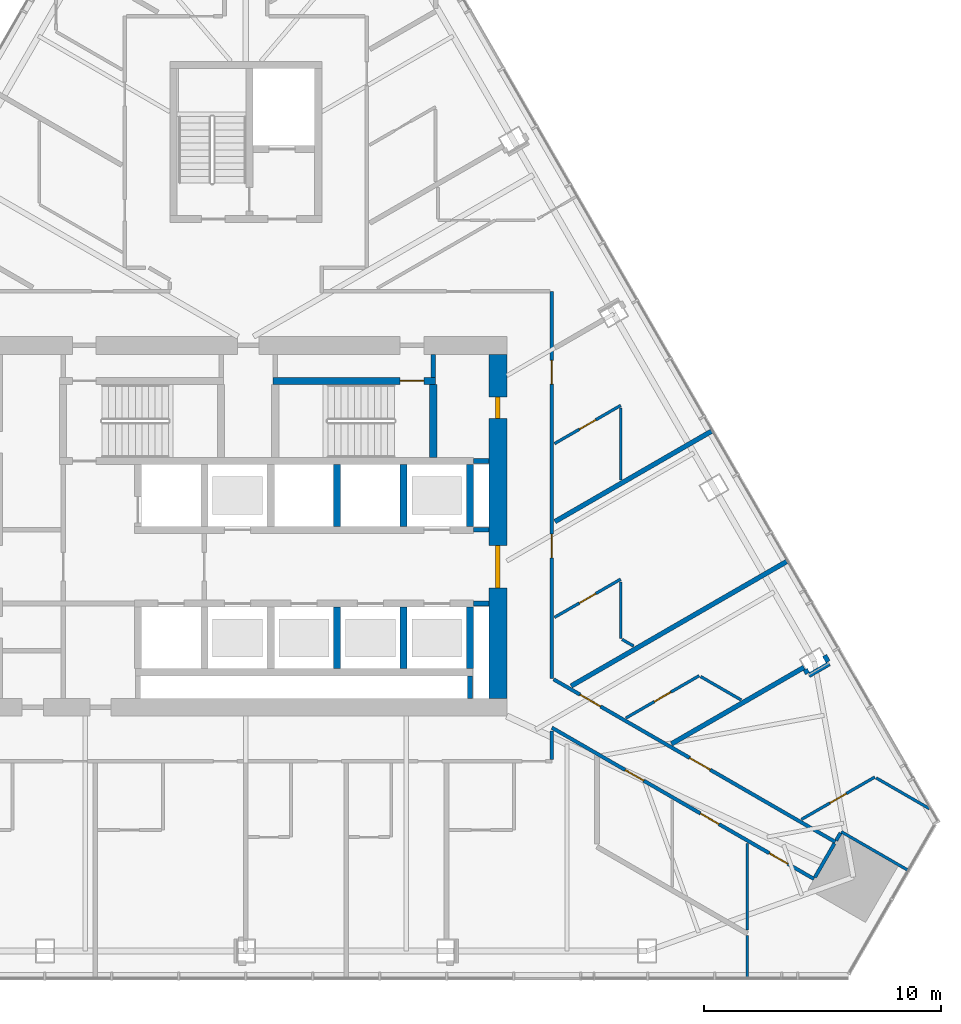
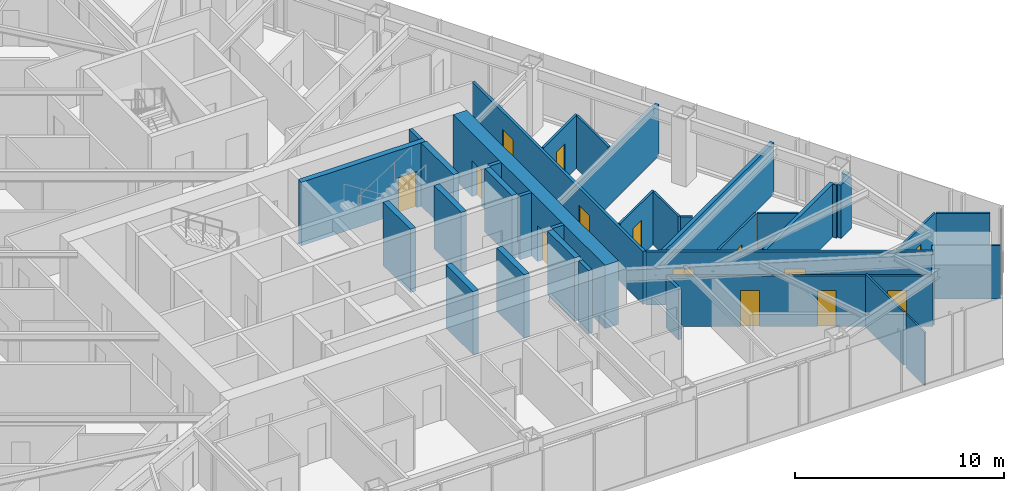
# One storey, part 16 of 20: 38 walls, 14 doors, 14 openings.
"""IFC4 building model written with IfcOpenShell, lengths in metres."""

import ifcopenshell
import ifcopenshell.guid

model = None  # the IFC model being written
_history = None  # IfcOwnerHistory: only IFC2X3 demands one
_inside = {}  # id of a spatial element -> (the spatial element, [elements in it])
_under = {}  # id of a project, library or spatial element -> (it, [spatial elements below it])
_declared = {}  # id of a project -> (the project, [libraries it declares])
_typed = {}  # id of a type object -> (the type object, [elements of that type])
_made_of = {}  # id of a material, layer set ... -> (it, [elements and type objects made of it])


def new_model(schema):
    """Start an empty IFC model of exactly this schema.

    Asked for "IFC4X3", IfcOpenShell would pick the latest addendum, in which some entities
    have other attributes; the version numbers below select the first issue.
    IFC2X3 requires an IfcOwnerHistory on every rooted entity: one is made here for all.
    """
    global model, _history
    if schema == "IFC4X3":
        model = ifcopenshell.file(schema_version=(4, 3, 0, 0))
    else:
        model = ifcopenshell.file(schema=schema)
    _inside.clear()
    _under.clear()
    _declared.clear()
    _typed.clear()
    _made_of.clear()
    _history = None
    if model.schema == "IFC2X3":
        org = make("IfcOrganization", Name="unknown")
        user = make(
            "IfcPersonAndOrganization",
            ThePerson=make("IfcPerson", FamilyName="unknown"),
            TheOrganization=org,
        )
        app = make(
            "IfcApplication",
            ApplicationDeveloper=org,
            Version="unknown",
            ApplicationFullName="unknown",
            ApplicationIdentifier="unknown",
        )
        _history = make(
            "IfcOwnerHistory",
            OwningUser=user,
            OwningApplication=app,
            ChangeAction="ADDED",
            CreationDate=0,
        )
    return model


def make(cls, **values):
    """One entity of the class cls with the attributes given. An attribute that is None is left unset."""
    return model.create_entity(
        cls, **{name: value for name, value in values.items() if value is not None}
    )


def rooted(cls, **values):
    """An entity with a GlobalId (a new one), such as an element, a storey or a relation."""
    return make(cls, GlobalId=ifcopenshell.guid.new(), OwnerHistory=_history, **values)


def si_unit(unit_type, name, prefix=None):
    """IfcSIUnit, for example si_unit("LENGTHUNIT", "METRE", prefix="MILLI")."""
    return make("IfcSIUnit", UnitType=unit_type, Prefix=prefix, Name=name)


def assignment(units):
    """IfcUnitAssignment: the units of a project."""
    return None if units is None else make("IfcUnitAssignment", Units=units)


def point(xyz):
    """IfcCartesianPoint."""
    return None if xyz is None else make("IfcCartesianPoint", Coordinates=xyz)


def direction(xyz):
    """IfcDirection."""
    return None if xyz is None else make("IfcDirection", DirectionRatios=xyz)


def frame(location, z_axis=None, x_axis=None):
    """IfcAxis2Placement3D, a coordinate frame: its origin and axes. An axis left out is left unset."""
    return make(
        "IfcAxis2Placement3D",
        Location=point(location),
        Axis=direction(z_axis),
        RefDirection=direction(x_axis),
    )


def frame_2d(location, x_axis=None):
    """IfcAxis2Placement2D, a coordinate frame in the plane: its origin and x axis."""
    return make(
        "IfcAxis2Placement2D", Location=point(location), RefDirection=direction(x_axis)
    )


def origin():
    """The frame at (0, 0, 0) with its axes left unset."""
    return frame((0.0, 0.0, 0.0))


def place(relative_to, where):
    """IfcLocalPlacement: puts the frame where relative to a parent placement (None: the world)."""
    return make(
        "IfcLocalPlacement", PlacementRelTo=relative_to, RelativePlacement=where
    )


def context(
    kind, dimensions, precision=None, world=None, true_north=None, identifier=None
):
    """IfcGeometricRepresentationContext, for example the 3D "Model" context."""
    return make(
        "IfcGeometricRepresentationContext",
        ContextIdentifier=identifier,
        ContextType=kind,
        CoordinateSpaceDimension=dimensions,
        Precision=precision,
        WorldCoordinateSystem=world,
        TrueNorth=true_north,
    )


def subcontext(parent, identifier, kind, view, scale=None):
    """IfcGeometricRepresentationSubContext, for example "Body" below "Model"."""
    return make(
        "IfcGeometricRepresentationSubContext",
        ContextIdentifier=identifier,
        ContextType=kind,
        ParentContext=parent,
        TargetScale=scale,
        TargetView=view,
    )


def project(units=None, contexts=None):
    """IfcProject with its units and contexts."""
    return rooted(
        "IfcProject",
        Name="project",
        RepresentationContexts=contexts,
        UnitsInContext=assignment(units),
    )


def spatial(cls, under=None, at=None, **own):
    """A site, building, storey or space (cls), placed at a placement, below another one or the project."""
    s = rooted(cls, ObjectPlacement=at, **own)
    if under is not None:
        _under.setdefault(under.id(), (under, []))[1].append(s)
    return s


def profile(cls, at=None, kind="AREA", **sizes):
    """A parametric profile (cls). Its sizes go by their IFC names, for example OverallWidth=200.0."""
    return make(cls, ProfileType=kind, Position=at, **sizes)


def rectangle(**sizes):
    """IfcRectangleProfileDef."""
    return profile("IfcRectangleProfileDef", **sizes)


def extrude(swept, where, along, depth):
    """IfcExtrudedAreaSolid: the profile swept, set in the frame where, extruded along a direction by depth."""
    return make(
        "IfcExtrudedAreaSolid",
        SweptArea=swept,
        Position=where,
        ExtrudedDirection=direction(along),
        Depth=depth,
    )


def shape(context_of_items, identifier, shape_type, items):
    """IfcShapeRepresentation: the items that make up one representation, for example the "Body"."""
    return make(
        "IfcShapeRepresentation",
        ContextOfItems=context_of_items,
        RepresentationIdentifier=identifier,
        RepresentationType=shape_type,
        Items=items,
    )


def material(Name=None, Category=None):
    """IfcMaterial."""
    return make("IfcMaterial", Name=Name, Category=Category)


def layer(
    of_material, thickness, ventilated=None, Name=None, Category=None, Priority=None
):
    """IfcMaterialLayer: one layer of a wall or slab, of a material (None: an air gap)."""
    return make(
        "IfcMaterialLayer",
        Material=of_material,
        LayerThickness=thickness,
        IsVentilated=ventilated,
        Name=Name,
        Category=Category,
        Priority=Priority,
    )


def layer_set(layers, Name=None):
    """IfcMaterialLayerSet."""
    return make("IfcMaterialLayerSet", MaterialLayers=layers, LayerSetName=Name)


def made_of(thing, what):
    """Note that an element or type object is made of a material, layer set ...; save() writes the relation."""
    if what is not None:
        _made_of.setdefault(what.id(), (what, []))[1].append(thing)
    return thing


def type_object(cls, material=None, **own):
    """A type object (cls), such as IfcWallType, which elements share."""
    return made_of(rooted(cls, **own), material)


def element(
    cls,
    number,
    at=None,
    inside=None,
    cuts=None,
    type_object=None,
    material=None,
    context=None,
    identifier="Body",
    shape_type=None,
    held_by="IfcProductDefinitionShape",
    body=None,
    shapes=None,
    **own,
):
    """One element of the class cls, such as IfcWall. Its Tag is "e" and its number.

    at: its placement. inside: the storey or other place that contains it. cuts: it is an
    opening in that element (IfcRelVoidsElement). A single representation is given by context,
    identifier, shape_type and body (its items); several are given by shapes. held_by: the class
    of the entity that holds the representations. save() writes the other relations.
    """
    e = rooted(cls, Tag="e%d" % number, ObjectPlacement=at, **own)
    if body is not None:
        shapes = [shape(context, identifier, shape_type, body)]
    if shapes is not None:
        e.Representation = make(held_by, Representations=shapes)
    if inside is not None:
        _inside.setdefault(inside.id(), (inside, []))[1].append(e)
    if cuts is not None:
        rooted(
            "IfcRelVoidsElement", RelatingBuildingElement=cuts, RelatedOpeningElement=e
        )
    if type_object is not None:
        _typed.setdefault(type_object.id(), (type_object, []))[1].append(e)
    return made_of(e, material)


def fill(opening, filler):
    """IfcRelFillsElement: the door or window that sits in an opening."""
    return rooted(
        "IfcRelFillsElement",
        RelatingOpeningElement=opening,
        RelatedBuildingElement=filler,
    )


def aggregate(whole, parts):
    """IfcRelAggregates: a whole, such as a stair, and the parts it consists of."""
    return rooted("IfcRelAggregates", RelatingObject=whole, RelatedObjects=parts)


def save(model, path):
    """Write the relations noted so far, then the file.

    IfcRelAggregates (storeys below a building ...), IfcRelContainedInSpatialStructure (elements
    in a storey), IfcRelDefinesByType, IfcRelAssociatesMaterial and IfcRelDeclares: one each for
    every whole, place, type object, material and project.
    """
    for whole, parts in _under.values():
        aggregate(whole, parts)
    for where, things in _inside.values():
        rooted(
            "IfcRelContainedInSpatialStructure",
            RelatedElements=things,
            RelatingStructure=where,
        )
    for kind, things in _typed.values():
        rooted("IfcRelDefinesByType", RelatedObjects=things, RelatingType=kind)
    for what, things in _made_of.values():
        rooted("IfcRelAssociatesMaterial", RelatedObjects=things, RelatingMaterial=what)
    for by, libraries in _declared.values():
        rooted("IfcRelDeclares", RelatingContext=by, RelatedDefinitions=libraries)
    model.write(path)


model = new_model("IFC4")

# Units and contexts
model_context = context("Model", 3, precision=1e-05, world=origin(), true_north=direction((0.0, 1.0)))
body_context = subcontext(model_context, "Body", "Model", "MODEL_VIEW")
ifc_project = project(units=[si_unit("LENGTHUNIT", "METRE"), si_unit("AREAUNIT", "SQUARE_METRE"), si_unit("VOLUMEUNIT", "CUBIC_METRE"), si_unit("PLANEANGLEUNIT", "RADIAN"), si_unit("MASSUNIT", "GRAM", prefix="KILO")], contexts=[model_context])

# Site, building, storey
site_placement = place(None, origin())
site = spatial("IfcSite", under=ifc_project, at=site_placement, CompositionType="ELEMENT")
building_placement = place(site_placement, origin())
building = spatial("IfcBuilding", under=site, at=building_placement, Name="Firuza Gate Tower and Library", CompositionType="ELEMENT")
storey_placement = place(building_placement, frame((0.0, 0.0, 214.300048828125)))
storey = spatial("IfcBuildingStorey", under=building, at=storey_placement, Name="L50", CompositionType="ELEMENT", Elevation=214.300048828125)

# Walls
ifc_material_1 = material(Name="Plasterboard on steel studs", Category="steel")
ifc_layer_1 = layer(ifc_material_1, 0.199951171875)
ifc_layer_set_1 = layer_set([ifc_layer_1], Name="Core partition 200 EI 120")
wall_type_1 = type_object("IfcWallType", Name="Core partition 200 EI 120", PredefinedType="PARTITIONING", material=ifc_layer_set_1)
for number, where, z_axis, x_axis, name in (
    (1, (84.60009765625, 71.75, 0.0), (0.0, 0.0, 1.0), (1.0, 0.0, 0.0), "Core partition L50 3"),
    (2, (84.60009765625, 74.85009765625, 0.0), (0.0, 0.0, 1.0), (1.0, 0.0, 0.0), "Core partition L50 5"),
    (3, (84.60009765625, 77.75, 0.0), (0.0, 0.0, 1.0), (1.0, 0.0, 0.0), "Core partition L50 6"),
):
    element("IfcWall", number, at=place(storey_placement, frame(where, z_axis=z_axis, x_axis=x_axis)), inside=storey, type_object=wall_type_1, Name=name, PredefinedType="PARTITIONING", context=body_context, shape_type="SweptSolid", body=[
        extrude(rectangle(XDim=0.64990234375, YDim=0.199951171875, at=frame_2d((0.324951171875, 0.0))), origin(), (0.0, 0.0, 1.0), 3.699951171875),
    ])
wall_1_placement = place(storey_placement, frame((84.449951171875, 67.75, 0.0), z_axis=(0.0, 0.0, 1.0), x_axis=(0.0, 1.0, 0.0)))
element("IfcWall", 4, at=wall_1_placement, inside=storey, type_object=wall_type_1, Name="Core partition L50 15", PredefinedType="PARTITIONING", context=body_context, shape_type="SweptSolid", body=[
    extrude(rectangle(XDim=0.949951171875, YDim=0.199951171875, at=frame_2d((0.47509765625, 0.0))), origin(), (0.0, 0.0, 1.0), 3.699951171875),
])
ifc_material_2 = material(Name="Plasterboard on steel studs", Category="steel")
ifc_layer_2 = layer(ifc_material_2, 0.199951171875)
ifc_layer_set_2 = layer_set([ifc_layer_2], Name="Core partition 200 EI 60")
wall_type_2 = type_object("IfcWallType", Name="Core partition 200 EI 60", PredefinedType="PARTITIONING", material=ifc_layer_set_2)
wall_2_placement = place(storey_placement, frame((82.89990234375, 81.280029296875, 0.0), z_axis=(0.0, 0.0, 1.0), x_axis=(0.0, 1.0, 0.0)))
element("IfcWall", 5, at=wall_2_placement, inside=storey, type_object=wall_type_2, Name="Core partition L50 14", PredefinedType="PARTITIONING", context=body_context, shape_type="SweptSolid", body=[
    extrude(rectangle(XDim=0.969970703125, YDim=0.199951171875, at=frame_2d((0.48486328125, 0.0))), origin(), (0.0, 0.0, 1.0), 3.699951171875),
])
ifc_material_3 = material(Name="Concrete C80/95", Category="concrete")
ifc_layer_3 = layer(ifc_material_3, 0.300048828125)
ifc_layer_set_3 = layer_set([ifc_layer_3], Name="Core wall 300 C80/95")
wall_type_3 = type_object("IfcWallType", Name="Core wall 300 C80/95", PredefinedType="SHEAR", material=ifc_layer_set_3)
for number, where, z_axis, x_axis, name in (
    (6, (78.85009765625, 69.0, 0.0), (0.0, 0.0, 1.0), (0.0, 1.0, 0.0), "Core wall L50 14"),
    (7, (78.85009765625, 75.0, 0.0), (0.0, 0.0, 1.0), (0.0, 1.0, 0.0), "Core wall L50 15"),
    (8, (81.64990234375, 69.0, 0.0), (0.0, 0.0, 1.0), (0.0, 1.0, 0.0), "Core wall L50 16"),
    (9, (81.64990234375, 75.0, 0.0), (0.0, 0.0, 1.0), (0.0, 1.0, 0.0), "Core wall L50 17"),
    (10, (84.449951171875, 69.0, 0.0), (0.0, 0.0, 1.0), (0.0, 1.0, 0.0), "Core wall L50 18"),
    (11, (84.449951171875, 75.0, 0.0), (0.0, 0.0, 1.0), (0.0, 1.0, 0.0), "Core wall L50 19"),
):
    element("IfcWall", number, at=place(storey_placement, frame(where, z_axis=z_axis, x_axis=x_axis)), inside=storey, type_object=wall_type_3, Name=name, PredefinedType="SHEAR", context=body_context, shape_type="SweptSolid", body=[
        extrude(rectangle(XDim=2.60009765625, YDim=0.300048828125, at=frame_2d((1.300048828125, 0.0))), origin(), (0.0, 0.0, 1.0), 3.699951171875),
    ])

# Wall, opening, door
wall_3_placement = place(storey_placement, frame((76.139892578125, 81.1298828125, 0.0), z_axis=(0.0, 0.0, 1.0), x_axis=(1.0, 0.0, 0.0)))
wall_3 = element("IfcWall", 12, at=wall_3_placement, inside=storey, type_object=wall_type_3, Name="Core wall L50 22", PredefinedType="SHEAR", context=body_context, shape_type="SweptSolid", body=[
    extrude(rectangle(XDim=6.860107421875, YDim=0.300048828125, at=frame_2d((3.43017578125, 0.0))), origin(), (0.0, 0.0, 1.0), 3.699951171875),
])
opening_1_placement = place(wall_3_placement, frame((5.364990234375, 0.0, 0.0)))
opening_1 = element("IfcOpeningElement", 13, at=opening_1_placement, cuts=wall_3, Name="Opening L50-K13", PredefinedType="OPENING", context=body_context, shape_type="SweptSolid", body=[
    extrude(rectangle(XDim=1.0, YDim=2.10009765625, at=frame_2d((0.5, 1.050048828125))), frame((0.0, 0.16015625, 0.0), z_axis=(0.0, -1.0, 0.0), x_axis=(1.0, 0.0, 0.0)), (0.0, 0.0, 1.0), 0.320068359375),
])
ifc_material_4 = material(Name="Steel", Category="steel")
door_type_1 = type_object("IfcDoorType", Name="Fire door 1000x2100 FD90", OperationType="NOTDEFINED", PredefinedType="DOOR", material=ifc_material_4)
door_1_placement = place(opening_1_placement, origin())
door_1 = element("IfcDoor", 14, at=door_1_placement, inside=storey, type_object=door_type_1, Name="Door L50-K13", OperationType="SINGLE_SWING_RIGHT", OverallHeight=2.10009765625, OverallWidth=1.0, PredefinedType="DOOR", context=body_context, shape_type="SweptSolid", body=[
    extrude(rectangle(XDim=1.0, YDim=2.10009765625, at=frame_2d((0.5, 1.050048828125))), frame((0.0, 0.02490234375, 0.0), z_axis=(0.0, -1.0, 0.0), x_axis=(1.0, 0.0, 0.0)), (0.0, 0.0, 1.0), 0.050048828125),
])
fill(opening_1, door_1)

# Wall
wall_4_placement = place(storey_placement, frame((82.89990234375, 77.89990234375, 0.0), z_axis=(0.0, 0.0, 1.0), x_axis=(0.0, 1.0, 0.0)))
element("IfcWall", 15, at=wall_4_placement, inside=storey, type_object=wall_type_3, Name="Core wall L50 26", PredefinedType="SHEAR", context=body_context, shape_type="SweptSolid", body=[
    extrude(rectangle(XDim=3.080078125, YDim=0.300048828125, at=frame_2d((1.5400390625, 0.0))), origin(), (0.0, 0.0, 1.0), 3.699951171875),
])

# Wall, openings, doors
ifc_material_5 = material(Name="Concrete C80/95", Category="concrete")
ifc_layer_4 = layer(ifc_material_5, 0.75)
ifc_layer_set_4 = layer_set([ifc_layer_4], Name="Core wall 750 C80/95")
wall_type_4 = type_object("IfcWallType", Name="Core wall 750 C80/95", PredefinedType="SHEAR", material=ifc_layer_set_4)
wall_5_placement = place(storey_placement, frame((85.625, 67.75, 0.0), z_axis=(0.0, 0.0, 1.0), x_axis=(0.0, 1.0, 0.0)))
wall_5 = element("IfcWall", 16, at=wall_5_placement, inside=storey, type_object=wall_type_4, Name="Core wall L50 4", PredefinedType="SHEAR", context=body_context, shape_type="SweptSolid", body=[
    extrude(rectangle(XDim=14.5, YDim=0.75, at=frame_2d((7.25, 0.0))), origin(), (0.0, 0.0, 1.0), 3.699951171875),
])
opening_2_placement = place(wall_5_placement, frame((4.64990234375, 0.0, 0.0)))
opening_2 = element("IfcOpeningElement", 17, at=opening_2_placement, cuts=wall_5, Name="Opening L50-K21", PredefinedType="OPENING", context=body_context, shape_type="SweptSolid", body=[
    extrude(rectangle(XDim=1.800048828125, YDim=2.10009765625, at=frame_2d((0.89990234375, 1.050048828125))), frame((0.0, 0.385009765625, 0.0), z_axis=(0.0, -1.0, 0.0), x_axis=(1.0, 0.0, 0.0)), (0.0, 0.0, 1.0), 0.77001953125),
])
opening_3_placement = place(wall_5_placement, frame((11.800048828125, 0.0, 0.0)))
opening_3 = element("IfcOpeningElement", 18, at=opening_3_placement, cuts=wall_5, Name="Opening L50-K27", PredefinedType="OPENING", context=body_context, shape_type="SweptSolid", body=[
    extrude(rectangle(XDim=0.89990234375, YDim=2.10009765625, at=frame_2d((0.449951171875, 1.050048828125))), frame((0.0, 0.385009765625, 0.0), z_axis=(0.0, -1.0, 0.0), x_axis=(1.0, 0.0, 0.0)), (0.0, 0.0, 1.0), 0.77001953125),
])
ifc_material_6 = material(Name="Steel", Category="steel")
door_type_2 = type_object("IfcDoorType", Name="Fire door 1800x2100 FD30S", OperationType="NOTDEFINED", PredefinedType="DOOR", material=ifc_material_6)
door_2_placement = place(opening_2_placement, origin())
door_2 = element("IfcDoor", 19, at=door_2_placement, inside=storey, type_object=door_type_2, Name="Door L50-K21", OperationType="SINGLE_SWING_RIGHT", OverallHeight=2.10009765625, OverallWidth=1.800048828125, PredefinedType="DOOR", context=body_context, shape_type="SweptSolid", body=[
    extrude(rectangle(XDim=1.800048828125, YDim=2.10009765625, at=frame_2d((0.89990234375, 1.050048828125))), frame((0.0, 0.094970703125, 0.0), z_axis=(0.0, -1.0, 0.0), x_axis=(1.0, 0.0, 0.0)), (0.0, 0.0, 1.0), 0.18994140625),
])
fill(opening_2, door_2)
ifc_material_7 = material(Name="Steel", Category="steel")
door_type_3 = type_object("IfcDoorType", Name="Fire door 900x2100 FD30S", OperationType="NOTDEFINED", PredefinedType="DOOR", material=ifc_material_7)
door_3_placement = place(opening_3_placement, origin())
door_3 = element("IfcDoor", 20, at=door_3_placement, inside=storey, type_object=door_type_3, Name="Door L50-K27", OperationType="SINGLE_SWING_RIGHT", OverallHeight=2.10009765625, OverallWidth=0.89990234375, PredefinedType="DOOR", context=body_context, shape_type="SweptSolid", body=[
    extrude(rectangle(XDim=0.89990234375, YDim=2.10009765625, at=frame_2d((0.449951171875, 1.050048828125))), frame((0.0, 0.094970703125, 0.0), z_axis=(0.0, -1.0, 0.0), x_axis=(1.0, 0.0, 0.0)), (0.0, 0.0, 1.0), 0.18994140625),
])
fill(opening_3, door_3)

# Walls
ifc_material_8 = material(Name="Gypsum board partition")
ifc_layer_5 = layer(ifc_material_8, 0.14990234375)
ifc_layer_set_5 = layer_set([ifc_layer_5], Name="Corridor wall 150 double board on steel studs")
wall_type_5 = type_object("IfcWallType", Name="Corridor wall 150 double board on steel studs", PredefinedType="PARTITIONING", material=ifc_layer_set_5)
wall_6_placement = place(storey_placement, frame((98.98388671875, 60.200927734375, 0.0), z_axis=(0.0, 0.0, 1.0), x_axis=(0.499991515992, 0.866030301974, 0.0)))
element("IfcWall", 21, at=wall_6_placement, inside=storey, type_object=wall_type_5, Name="f:L50:w043", PredefinedType="PARTITIONING", context=body_context, shape_type="SweptSolid", body=[
    extrude(rectangle(XDim=1.6494140625, YDim=0.14990234375, at=frame_2d((0.82470703125, 0.0))), origin(), (0.0, 0.0, 1.0), 2.947021484375),
])
wall_7_placement = place(storey_placement, frame((87.89990234375, 65.175537109375, 0.0), z_axis=(0.0, 0.0, 1.0), x_axis=(0.0, 1.0, 0.0)))
element("IfcWall", 22, at=wall_7_placement, inside=storey, type_object=wall_type_5, Name="f:L50:w054", PredefinedType="PARTITIONING", context=body_context, shape_type="SweptSolid", body=[
    extrude(rectangle(XDim=1.20068359375, YDim=0.14990234375, at=frame_2d((0.600341796875, 0.0))), origin(), (0.0, 0.0, 1.0), 2.947021484375),
])

# Wall, openings, doors
wall_8_placement = place(storey_placement, frame((87.89990234375, 84.89990234375, 0.0), z_axis=(0.0, 0.0, 1.0), x_axis=(0.0, -1.0, 0.0)))
wall_8 = element("IfcWall", 23, at=wall_8_placement, inside=storey, type_object=wall_type_5, Name="f:L50:w055", PredefinedType="PARTITIONING", context=body_context, shape_type="SweptSolid", body=[
    extrude(rectangle(XDim=16.30859375, YDim=0.14990234375, at=frame_2d((8.154296875, 0.0))), origin(), (0.0, 0.0, 1.0), 3.099853515625),
])
opening_4_placement = place(wall_8_placement, frame((2.90380859375, 0.0, 0.0)))
opening_4 = element("IfcOpeningElement", 24, at=opening_4_placement, cuts=wall_8, Name="Opening L50-30", PredefinedType="OPENING", context=body_context, shape_type="SweptSolid", body=[
    extrude(rectangle(XDim=1.0, YDim=2.10009765625, at=frame_2d((0.5, 1.050048828125))), frame((0.0, 0.0849609375, 0.0), z_axis=(0.0, -1.0, 0.0), x_axis=(1.0, 0.0, 0.0)), (0.0, 0.0, 1.0), 0.169921875),
])
opening_5_placement = place(wall_8_placement, frame((10.2265625, 0.0, 0.0)))
opening_5 = element("IfcOpeningElement", 25, at=opening_5_placement, cuts=wall_8, Name="Opening L50-31", PredefinedType="OPENING", context=body_context, shape_type="SweptSolid", body=[
    extrude(rectangle(XDim=1.0, YDim=2.10009765625, at=frame_2d((0.5, 1.050048828125))), frame((0.0, 0.0849609375, 0.0), z_axis=(0.0, -1.0, 0.0), x_axis=(1.0, 0.0, 0.0)), (0.0, 0.0, 1.0), 0.169921875),
])
ifc_material_9 = material(Name="Steel door and timber leaf", Category="steel")
door_type_4 = type_object("IfcDoorType", Name="Fire door 1000 x 2100 steel frame, timber leaf", OperationType="NOTDEFINED", PredefinedType="DOOR", material=ifc_material_9)
door_4_placement = place(opening_4_placement, origin())
door_4 = element("IfcDoor", 26, at=door_4_placement, inside=storey, type_object=door_type_4, Name="f:L50:d030", OperationType="SINGLE_SWING_LEFT", OverallHeight=2.10009765625, OverallWidth=1.0, PredefinedType="DOOR", context=body_context, shape_type="SweptSolid", body=[
    extrude(rectangle(XDim=1.0, YDim=2.10009765625, at=frame_2d((0.5, 1.050048828125))), frame((0.0, 0.02490234375, 0.0), z_axis=(0.0, -1.0, 0.0), x_axis=(1.0, 0.0, 0.0)), (0.0, 0.0, 1.0), 0.050048828125),
])
fill(opening_4, door_4)
door_5_placement = place(opening_5_placement, origin())
door_5 = element("IfcDoor", 27, at=door_5_placement, inside=storey, type_object=door_type_4, Name="f:L50:d031", OperationType="SINGLE_SWING_LEFT", OverallHeight=2.10009765625, OverallWidth=1.0, PredefinedType="DOOR", context=body_context, shape_type="SweptSolid", body=[
    extrude(rectangle(XDim=1.0, YDim=2.10009765625, at=frame_2d((0.5, 1.050048828125))), frame((0.0, 0.02490234375, 0.0), z_axis=(0.0, -1.0, 0.0), x_axis=(1.0, 0.0, 0.0)), (0.0, 0.0, 1.0), 0.050048828125),
])
fill(opening_5, door_5)

wall_9_placement = place(storey_placement, frame((87.97509765625, 68.548095703125, 0.0), z_axis=(0.0, 0.0, 1.0), x_axis=(0.866024823711, -0.500001004715, 0.0)))
wall_9 = element("IfcWall", 28, at=wall_9_placement, inside=storey, type_object=wall_type_5, Name="f:L50:w107", PredefinedType="PARTITIONING", context=body_context, shape_type="SweptSolid", body=[
    extrude(rectangle(XDim=13.70703125, YDim=0.14990234375, at=frame_2d((6.853515625, 0.0))), origin(), (0.0, 0.0, 1.0), 3.099853515625),
])
opening_6_placement = place(wall_9_placement, frame((1.28271484375, 0.0, 0.0)))
opening_6 = element("IfcOpeningElement", 29, at=opening_6_placement, cuts=wall_9, Name="Opening L50-43", PredefinedType="OPENING", context=body_context, shape_type="SweptSolid", body=[
    extrude(rectangle(XDim=1.0, YDim=2.10009765625, at=frame_2d((0.5, 1.050048828125))), frame((0.0, 0.0849609375, 0.0), z_axis=(0.0, -1.0, 0.0), x_axis=(1.0, 0.0, 0.0)), (0.0, 0.0, 1.0), 0.169921875),
])
opening_7_placement = place(wall_9_placement, frame((6.620361328125, 0.0, 0.0)))
opening_7 = element("IfcOpeningElement", 30, at=opening_7_placement, cuts=wall_9, Name="Opening L50-44", PredefinedType="OPENING", context=body_context, shape_type="SweptSolid", body=[
    extrude(rectangle(XDim=1.0, YDim=2.10009765625, at=frame_2d((0.5, 1.050048828125))), frame((0.0, 0.0849609375, 0.0), z_axis=(0.0, -1.0, 0.0), x_axis=(1.0, 0.0, 0.0)), (0.0, 0.0, 1.0), 0.169921875),
])
door_6_placement = place(opening_6_placement, origin())
door_6 = element("IfcDoor", 31, at=door_6_placement, inside=storey, type_object=door_type_4, Name="f:L50:d043", OperationType="SINGLE_SWING_LEFT", OverallHeight=2.10009765625, OverallWidth=1.0, PredefinedType="DOOR", context=body_context, shape_type="SweptSolid", body=[
    extrude(rectangle(XDim=1.0, YDim=2.10009765625, at=frame_2d((0.5, 1.050048828125))), frame((0.0, 0.02490234375, 0.0), z_axis=(0.0, -1.0, 0.0), x_axis=(1.0, 0.0, 0.0)), (0.0, 0.0, 1.0), 0.050048828125),
])
fill(opening_6, door_6)
door_7_placement = place(opening_7_placement, origin())
door_7 = element("IfcDoor", 32, at=door_7_placement, inside=storey, type_object=door_type_4, Name="f:L50:d044", OperationType="SINGLE_SWING_LEFT", OverallHeight=2.10009765625, OverallWidth=1.0, PredefinedType="DOOR", context=body_context, shape_type="SweptSolid", body=[
    extrude(rectangle(XDim=1.0, YDim=2.10009765625, at=frame_2d((0.5, 1.050048828125))), frame((0.0, 0.02490234375, 0.0), z_axis=(0.0, -1.0, 0.0), x_axis=(1.0, 0.0, 0.0)), (0.0, 0.0, 1.0), 0.050048828125),
])
fill(opening_7, door_7)

wall_10_placement = place(storey_placement, frame((98.9453125, 60.135986328125, 0.0), z_axis=(0.0, 0.0, 1.0), x_axis=(-0.866024604137, 0.500001385028, 0.0)))
wall_10 = element("IfcWall", 33, at=wall_10_placement, inside=storey, type_object=wall_type_5, Name="f:L50:w108", PredefinedType="PARTITIONING", context=body_context, shape_type="SweptSolid", body=[
    extrude(rectangle(XDim=12.75390625, YDim=0.14990234375, at=frame_2d((6.376953125, 0.0))), origin(), (0.0, 0.0, 1.0), 2.947021484375),
])
opening_8_placement = place(wall_10_placement, frame((1.271484375, 0.0, 0.0)))
opening_8 = element("IfcOpeningElement", 34, at=opening_8_placement, cuts=wall_10, Name="Opening L50-45", PredefinedType="OPENING", context=body_context, shape_type="SweptSolid", body=[
    extrude(rectangle(XDim=0.89990234375, YDim=2.10009765625, at=frame_2d((0.449951171875, 1.050048828125))), frame((0.0, 0.0849609375, 0.0), z_axis=(0.0, -1.0, 0.0), x_axis=(1.0, 0.0, 0.0)), (0.0, 0.0, 1.0), 0.169921875),
])
opening_9_placement = place(wall_10_placement, frame((4.62060546875, 0.0, 0.0)))
opening_9 = element("IfcOpeningElement", 35, at=opening_9_placement, cuts=wall_10, Name="Opening L50-46", PredefinedType="OPENING", context=body_context, shape_type="SweptSolid", body=[
    extrude(rectangle(XDim=0.89990234375, YDim=2.10009765625, at=frame_2d((0.449951171875, 1.050048828125))), frame((0.0, 0.0849609375, 0.0), z_axis=(0.0, -1.0, 0.0), x_axis=(1.0, 0.0, 0.0)), (0.0, 0.0, 1.0), 0.169921875),
])
opening_10_placement = place(wall_10_placement, frame((8.281982421875, 0.0, 0.0)))
opening_10 = element("IfcOpeningElement", 36, at=opening_10_placement, cuts=wall_10, Name="Opening L50-47", PredefinedType="OPENING", context=body_context, shape_type="SweptSolid", body=[
    extrude(rectangle(XDim=0.89990234375, YDim=2.10009765625, at=frame_2d((0.449951171875, 1.050048828125))), frame((0.0, 0.0849609375, 0.0), z_axis=(0.0, -1.0, 0.0), x_axis=(1.0, 0.0, 0.0)), (0.0, 0.0, 1.0), 0.169921875),
])
ifc_material_10 = material(Name="Steel door and timber leaf", Category="steel")
door_type_5 = type_object("IfcDoorType", Name="Fire door 900 x 2100 steel frame, timber leaf", OperationType="NOTDEFINED", PredefinedType="DOOR", material=ifc_material_10)
door_8_placement = place(opening_8_placement, origin())
door_8 = element("IfcDoor", 37, at=door_8_placement, inside=storey, type_object=door_type_5, Name="f:L50:d045", OperationType="SINGLE_SWING_LEFT", OverallHeight=2.10009765625, OverallWidth=0.89990234375, PredefinedType="DOOR", context=body_context, shape_type="SweptSolid", body=[
    extrude(rectangle(XDim=0.89990234375, YDim=2.10009765625, at=frame_2d((0.449951171875, 1.050048828125))), frame((0.0, 0.02490234375, 0.0), z_axis=(0.0, -1.0, 0.0), x_axis=(1.0, 0.0, 0.0)), (0.0, 0.0, 1.0), 0.050048828125),
])
fill(opening_8, door_8)
door_9_placement = place(opening_9_placement, origin())
door_9 = element("IfcDoor", 38, at=door_9_placement, inside=storey, type_object=door_type_5, Name="f:L50:d046", OperationType="SINGLE_SWING_RIGHT", OverallHeight=2.10009765625, OverallWidth=0.89990234375, PredefinedType="DOOR", context=body_context, shape_type="SweptSolid", body=[
    extrude(rectangle(XDim=0.89990234375, YDim=2.10009765625, at=frame_2d((0.449951171875, 1.050048828125))), frame((0.0, 0.02490234375, 0.0), z_axis=(0.0, -1.0, 0.0), x_axis=(1.0, 0.0, 0.0)), (0.0, 0.0, 1.0), 0.050048828125),
])
fill(opening_9, door_9)
door_10_placement = place(opening_10_placement, origin())
door_10 = element("IfcDoor", 39, at=door_10_placement, inside=storey, type_object=door_type_5, Name="f:L50:d047", OperationType="SINGLE_SWING_LEFT", OverallHeight=2.10009765625, OverallWidth=0.89990234375, PredefinedType="DOOR", context=body_context, shape_type="SweptSolid", body=[
    extrude(rectangle(XDim=0.89990234375, YDim=2.10009765625, at=frame_2d((0.449951171875, 1.050048828125))), frame((0.0, 0.02490234375, 0.0), z_axis=(0.0, -1.0, 0.0), x_axis=(1.0, 0.0, 0.0)), (0.0, 0.0, 1.0), 0.050048828125),
])
fill(opening_10, door_10)

# Walls
wall_11_placement = place(storey_placement, frame((99.883544921875, 61.759521484375, 0.0), z_axis=(0.0, 0.0, 1.0), x_axis=(0.500031897912, 0.866006986733, 0.0)))
element("IfcWall", 40, at=wall_11_placement, inside=storey, type_object=wall_type_5, Name="f:L50:w122", PredefinedType="PARTITIONING", context=body_context, shape_type="SweptSolid", body=[
    extrude(rectangle(XDim=0.3642578125, YDim=0.14990234375, at=frame_2d((0.18212890625, 0.0))), origin(), (0.0, 0.0, 1.0), 3.099853515625),
])
ifc_material_11 = material(Name="Gypsum board partition")
ifc_layer_6 = layer(ifc_material_11, 0.199951171875)
ifc_layer_set_6 = layer_set([ifc_layer_6], Name="Demising wall 200 acoustic double stud")
wall_type_6 = type_object("IfcWallType", Name="Demising wall 200 acoustic double stud", PredefinedType="PARTITIONING", material=ifc_layer_set_6)
wall_12_placement = place(storey_placement, frame((98.72705078125, 68.7099609375, 0.0), z_axis=(0.0, 0.0, 1.0), x_axis=(0.866083827272, 0.499898793895, 0.0)))
element("IfcWall", 41, at=wall_12_placement, inside=storey, type_object=wall_type_6, Name="f:L50:w019", PredefinedType="PARTITIONING", context=body_context, shape_type="SweptSolid", body=[
    extrude(rectangle(XDim=0.998779296875, YDim=0.199951171875, at=frame_2d((0.49951171875, 0.0))), origin(), (0.0, 0.0, 1.0), 3.099853515625),
])
wall_13_placement = place(storey_placement, frame((92.93798828125, 65.82958984375, 0.0), z_axis=(0.0, 0.0, 1.0), x_axis=(0.866041300655, 0.499972464802, 0.0)))
element("IfcWall", 42, at=wall_13_placement, inside=storey, type_object=wall_type_6, Name="f:L50:w020", PredefinedType="PARTITIONING", context=body_context, shape_type="SweptSolid", body=[
    extrude(rectangle(XDim=6.452392578125, YDim=0.199951171875, at=frame_2d((3.22607421875, 0.0))), origin(), (0.0, 0.0, 1.0), 3.099853515625),
])
wall_14_placement = place(storey_placement, frame((88.710693359375, 68.269775390625, 0.0), z_axis=(0.0, 0.0, 1.0), x_axis=(0.86602828922, 0.499995002246, 0.0)))
element("IfcWall", 43, at=wall_14_placement, inside=storey, type_object=wall_type_6, Name="f:L50:w022", PredefinedType="PARTITIONING", context=body_context, shape_type="SweptSolid", body=[
    extrude(rectangle(XDim=10.49365234375, YDim=0.199951171875, at=frame_2d((5.246826171875, 0.0))), origin(), (0.0, 0.0, 1.0), 3.02197265625),
])
wall_15_placement = place(storey_placement, frame((88.027099609375, 75.1982421875, 0.0), z_axis=(0.0, 0.0, 1.0), x_axis=(0.866028758719, 0.499994189038, 0.0)))
element("IfcWall", 44, at=wall_15_placement, inside=storey, type_object=wall_type_6, Name="f:L50:w024", PredefinedType="PARTITIONING", context=body_context, shape_type="SweptSolid", body=[
    extrude(rectangle(XDim=7.62158203125, YDim=0.199951171875, at=frame_2d((3.810791015625, 0.0))), origin(), (0.0, 0.0, 1.0), 3.02197265625),
])
wall_16_placement = place(storey_placement, frame((99.5419921875, 69.296142578125, 0.0), z_axis=(0.0, 0.0, 1.0), x_axis=(-0.500005339912, 0.866022320763, 0.0)))
element("IfcWall", 45, at=wall_16_placement, inside=storey, type_object=wall_type_6, Name="f:L50:w087", PredefinedType="PARTITIONING", context=body_context, shape_type="SweptSolid", body=[
    extrude(rectangle(XDim=0.298828125, YDim=0.199951171875, at=frame_2d((0.1494140625, 0.0))), origin(), (0.0, 0.0, 1.0), 3.099853515625),
])
wall_17_placement = place(storey_placement, frame((98.676025390625, 68.796142578125, 0.0), z_axis=(0.0, 0.0, 1.0), x_axis=(-0.4999705729, 0.866042392862, 0.0)))
element("IfcWall", 46, at=wall_17_placement, inside=storey, type_object=wall_type_6, Name="f:L50:w090", PredefinedType="PARTITIONING", context=body_context, shape_type="SweptSolid", body=[
    extrude(rectangle(XDim=0.19873046875, YDim=0.199951171875, at=frame_2d((0.099365234375, 0.0))), origin(), (0.0, 0.0, 1.0), 3.099853515625),
])
ifc_material_12 = material(Name="Gypsum board partition")
ifc_layer_7 = layer(ifc_material_12, 0.10009765625)
ifc_layer_set_7 = layer_set([ifc_layer_7], Name="Partition 100 gypsum board on steel studs")
wall_type_7 = type_object("IfcWallType", Name="Partition 100 gypsum board on steel studs", PredefinedType="PARTITIONING", material=ifc_layer_set_7)
wall_18_placement = place(storey_placement, frame((96.138916015625, 55.99755859375, 0.0), z_axis=(0.0, 0.0, 1.0), x_axis=(0.0, 1.0, 0.0)))
element("IfcWall", 47, at=wall_18_placement, inside=storey, type_object=wall_type_7, Name="f:L50:w049", PredefinedType="PARTITIONING", context=body_context, shape_type="SweptSolid", body=[
    extrude(rectangle(XDim=1.74609375, YDim=0.10009765625, at=frame_2d((0.873046875, 0.0))), origin(), (0.0, 0.0, 1.0), 3.099853515625),
])
wall_19_placement = place(storey_placement, frame((96.138916015625, 57.974609375, 0.0), z_axis=(0.0, 0.0, 1.0), x_axis=(0.0, 1.0, 0.0)))
element("IfcWall", 48, at=wall_19_placement, inside=storey, type_object=wall_type_7, Name="f:L50:w123", PredefinedType="PARTITIONING", context=body_context, shape_type="SweptSolid", body=[
    extrude(rectangle(XDim=3.664794921875, YDim=0.10009765625, at=frame_2d((1.83251953125, 0.0))), origin(), (0.0, 0.0, 1.0), 3.099853515625),
])

# Wall, opening, door
ifc_material_13 = material(Name="Gypsum board partition")
ifc_layer_8 = layer(ifc_material_13, 0.1201171875)
ifc_layer_set_8 = layer_set([ifc_layer_8], Name="Wet-area partition 120 moisture-resistant board")
wall_type_8 = type_object("IfcWallType", Name="Wet-area partition 120 moisture-resistant board", PredefinedType="PARTITIONING", material=ifc_layer_set_8)
wall_20_placement = place(storey_placement, frame((101.509033203125, 64.429443359375, 0.0), z_axis=(0.0, 0.0, 1.0), x_axis=(-0.866028357664, -0.499994883695, 0.0)))
wall_20 = element("IfcWall", 49, at=wall_20_placement, inside=storey, type_object=wall_type_8, Name="f:L50:w018", PredefinedType="PARTITIONING", context=body_context, shape_type="SweptSolid", body=[
    extrude(rectangle(XDim=3.568359375, YDim=0.1201171875, at=frame_2d((1.7841796875, 0.0))), origin(), (0.0, 0.0, 1.0), 3.099853515625),
])
opening_11_placement = place(wall_20_placement, frame((1.38427734375, 0.0, 0.0)))
opening_11 = element("IfcOpeningElement", 50, at=opening_11_placement, cuts=wall_20, Name="Opening L50-16", PredefinedType="OPENING", context=body_context, shape_type="SweptSolid", body=[
    extrude(rectangle(XDim=0.800048828125, YDim=2.10009765625, at=frame_2d((0.39990234375, 1.050048828125))), frame((0.0, 0.070068359375, 0.0), z_axis=(0.0, -1.0, 0.0), x_axis=(1.0, 0.0, 0.0)), (0.0, 0.0, 1.0), 0.14013671875),
])
ifc_material_14 = material(Name="Timber door", Category="wood")
door_type_6 = type_object("IfcDoorType", Name="Door 800 x 2100 timber leaf", OperationType="NOTDEFINED", PredefinedType="DOOR", material=ifc_material_14)
door_11_placement = place(opening_11_placement, origin())
door_11 = element("IfcDoor", 51, at=door_11_placement, inside=storey, type_object=door_type_6, Name="f:L50:d016", OperationType="SINGLE_SWING_RIGHT", OverallHeight=2.10009765625, OverallWidth=0.800048828125, PredefinedType="DOOR", context=body_context, shape_type="SweptSolid", body=[
    extrude(rectangle(XDim=0.800048828125, YDim=2.10009765625, at=frame_2d((0.39990234375, 1.050048828125))), frame((0.0, 0.02490234375, 0.0), z_axis=(0.0, -1.0, 0.0), x_axis=(1.0, 0.0, 0.0)), (0.0, 0.0, 1.0), 0.050048828125),
])
fill(opening_11, door_11)

wall_21_placement = place(storey_placement, frame((94.10888671875, 68.70166015625, 0.0), z_axis=(0.0, 0.0, 1.0), x_axis=(-0.866028357664, -0.499994883695, 0.0)))
wall_21 = element("IfcWall", 52, at=wall_21_placement, inside=storey, type_object=wall_type_8, Name="f:L50:w021", PredefinedType="PARTITIONING", context=body_context, shape_type="SweptSolid", body=[
    extrude(rectangle(XDim=3.568359375, YDim=0.1201171875, at=frame_2d((1.7841796875, 0.0))), origin(), (0.0, 0.0, 1.0), 3.099853515625),
])
opening_12_placement = place(wall_21_placement, frame((1.38427734375, 0.0, 0.0)))
opening_12 = element("IfcOpeningElement", 53, at=opening_12_placement, cuts=wall_21, Name="Opening L50-17", PredefinedType="OPENING", context=body_context, shape_type="SweptSolid", body=[
    extrude(rectangle(XDim=0.800048828125, YDim=2.10009765625, at=frame_2d((0.39990234375, 1.050048828125))), frame((0.0, 0.070068359375, 0.0), z_axis=(0.0, -1.0, 0.0), x_axis=(1.0, 0.0, 0.0)), (0.0, 0.0, 1.0), 0.14013671875),
])
door_12_placement = place(opening_12_placement, origin())
door_12 = element("IfcDoor", 54, at=door_12_placement, inside=storey, type_object=door_type_6, Name="f:L50:d017", OperationType="SINGLE_SWING_RIGHT", OverallHeight=2.10009765625, OverallWidth=0.800048828125, PredefinedType="DOOR", context=body_context, shape_type="SweptSolid", body=[
    extrude(rectangle(XDim=0.800048828125, YDim=2.10009765625, at=frame_2d((0.39990234375, 1.050048828125))), frame((0.0, 0.02490234375, 0.0), z_axis=(0.0, -1.0, 0.0), x_axis=(1.0, 0.0, 0.0)), (0.0, 0.0, 1.0), 0.050048828125),
])
fill(opening_12, door_12)

wall_22_placement = place(storey_placement, frame((90.800048828125, 72.771484375, 0.0), z_axis=(0.0, 0.0, 1.0), x_axis=(-0.86604299788, -0.499969524894, 0.0)))
wall_22 = element("IfcWall", 55, at=wall_22_placement, inside=storey, type_object=wall_type_8, Name="f:L50:w023", PredefinedType="PARTITIONING", context=body_context, shape_type="SweptSolid", body=[
    extrude(rectangle(XDim=3.221923828125, YDim=0.1201171875, at=frame_2d((1.61083984375, 0.0))), origin(), (0.0, 0.0, 1.0), 3.099853515625),
])
opening_13_placement = place(wall_22_placement, frame((1.2109375, 0.0, 0.0)))
opening_13 = element("IfcOpeningElement", 56, at=opening_13_placement, cuts=wall_22, Name="Opening L50-18", PredefinedType="OPENING", context=body_context, shape_type="SweptSolid", body=[
    extrude(rectangle(XDim=0.800048828125, YDim=2.10009765625, at=frame_2d((0.39990234375, 1.050048828125))), frame((0.0, 0.070068359375, 0.0), z_axis=(0.0, -1.0, 0.0), x_axis=(1.0, 0.0, 0.0)), (0.0, 0.0, 1.0), 0.14013671875),
])
door_13_placement = place(opening_13_placement, origin())
door_13 = element("IfcDoor", 57, at=door_13_placement, inside=storey, type_object=door_type_6, Name="f:L50:d018", OperationType="SINGLE_SWING_RIGHT", OverallHeight=2.10009765625, OverallWidth=0.800048828125, PredefinedType="DOOR", context=body_context, shape_type="SweptSolid", body=[
    extrude(rectangle(XDim=0.800048828125, YDim=2.10009765625, at=frame_2d((0.39990234375, 1.050048828125))), frame((0.0, 0.02490234375, 0.0), z_axis=(0.0, -1.0, 0.0), x_axis=(1.0, 0.0, 0.0)), (0.0, 0.0, 1.0), 0.050048828125),
])
fill(opening_13, door_13)

wall_23_placement = place(storey_placement, frame((90.800048828125, 80.0947265625, 0.0), z_axis=(0.0, 0.0, 1.0), x_axis=(-0.866029130051, -0.499993545862, 0.0)))
wall_23 = element("IfcWall", 58, at=wall_23_placement, inside=storey, type_object=wall_type_8, Name="f:L50:w027", PredefinedType="PARTITIONING", context=body_context, shape_type="SweptSolid", body=[
    extrude(rectangle(XDim=3.22216796875, YDim=0.1201171875, at=frame_2d((1.611083984375, 0.0))), origin(), (0.0, 0.0, 1.0), 3.099853515625),
])
opening_14_placement = place(wall_23_placement, frame((1.2109375, 0.0, 0.0)))
opening_14 = element("IfcOpeningElement", 59, at=opening_14_placement, cuts=wall_23, Name="Opening L50-20", PredefinedType="OPENING", context=body_context, shape_type="SweptSolid", body=[
    extrude(rectangle(XDim=0.800048828125, YDim=2.10009765625, at=frame_2d((0.39990234375, 1.050048828125))), frame((0.0, 0.070068359375, 0.0), z_axis=(0.0, -1.0, 0.0), x_axis=(1.0, 0.0, 0.0)), (0.0, 0.0, 1.0), 0.14013671875),
])
door_14_placement = place(opening_14_placement, origin())
door_14 = element("IfcDoor", 60, at=door_14_placement, inside=storey, type_object=door_type_6, Name="f:L50:d020", OperationType="SINGLE_SWING_RIGHT", OverallHeight=2.10009765625, OverallWidth=0.800048828125, PredefinedType="DOOR", context=body_context, shape_type="SweptSolid", body=[
    extrude(rectangle(XDim=0.800048828125, YDim=2.10009765625, at=frame_2d((0.39990234375, 1.050048828125))), frame((0.0, 0.02490234375, 0.0), z_axis=(0.0, -1.0, 0.0), x_axis=(1.0, 0.0, 0.0)), (0.0, 0.0, 1.0), 0.050048828125),
])
fill(opening_14, door_14)

# Walls
wall_24_placement = place(storey_placement, frame((90.800048828125, 70.265625, 0.0), z_axis=(0.0, 0.0, 1.0), x_axis=(0.0, 1.0, 0.0)))
element("IfcWall", 61, at=wall_24_placement, inside=storey, type_object=wall_type_8, Name="f:L50:w051", PredefinedType="PARTITIONING", context=body_context, shape_type="SweptSolid", body=[
    extrude(rectangle(XDim=2.39697265625, YDim=0.1201171875, at=frame_2d((1.198486328125, 0.0))), origin(), (0.0, 0.0, 1.0), 3.099853515625),
])
wall_25_placement = place(storey_placement, frame((90.800048828125, 76.954833984375, 0.0), z_axis=(0.0, 0.0, 1.0), x_axis=(0.0, 1.0, 0.0)))
element("IfcWall", 62, at=wall_25_placement, inside=storey, type_object=wall_type_8, Name="f:L50:w052", PredefinedType="PARTITIONING", context=body_context, shape_type="SweptSolid", body=[
    extrude(rectangle(XDim=3.030517578125, YDim=0.1201171875, at=frame_2d((1.51513671875, 0.0))), origin(), (0.0, 0.0, 1.0), 3.099853515625),
])
wall_26_placement = place(storey_placement, frame((103.813232421875, 63.09912109375, 0.0), z_axis=(0.0, 0.0, 1.0), x_axis=(-0.866025553686, 0.499999740363, 0.0)))
element("IfcWall", 63, at=wall_26_placement, inside=storey, type_object=wall_type_8, Name="f:L50:w102", PredefinedType="PARTITIONING", context=body_context, shape_type="SweptSolid", body=[
    extrude(rectangle(XDim=2.59130859375, YDim=0.1201171875, at=frame_2d((1.295654296875, 0.0))), origin(), (0.0, 0.0, 1.0), 3.099853515625),
])
wall_27_placement = place(storey_placement, frame((95.876708984375, 67.68115234375, 0.0), z_axis=(0.0, 0.0, 1.0), x_axis=(-0.866002090371, 0.500040377843, 0.0)))
element("IfcWall", 64, at=wall_27_placement, inside=storey, type_object=wall_type_8, Name="f:L50:w103", PredefinedType="PARTITIONING", context=body_context, shape_type="SweptSolid", body=[
    extrude(rectangle(XDim=1.971923828125, YDim=0.1201171875, at=frame_2d((0.98583984375, 0.0))), origin(), (0.0, 0.0, 1.0), 3.099853515625),
])
wall_28_placement = place(storey_placement, frame((91.348876953125, 69.948974609375, 0.0), z_axis=(0.0, 0.0, 1.0), x_axis=(-0.865998287773, 0.500046963369, 0.0)))
element("IfcWall", 65, at=wall_28_placement, inside=storey, type_object=wall_type_8, Name="f:L50:w104", PredefinedType="PARTITIONING", context=body_context, shape_type="SweptSolid", body=[
    extrude(rectangle(XDim=0.564453125, YDim=0.1201171875, at=frame_2d((0.2822265625, 0.0))), origin(), (0.0, 0.0, 1.0), 3.099853515625),
])
wall_29_placement = place(storey_placement, frame((102.9189453125, 60.49755859375, 0.0), z_axis=(0.0, 0.0, 1.0), x_axis=(-0.866003472149, 0.500037984783, 0.0)))
element("IfcWall", 66, at=wall_29_placement, inside=storey, type_object=wall_type_8, Name="f:L50:w105", PredefinedType="PARTITIONING", context=body_context, shape_type="SweptSolid", body=[
    extrude(rectangle(XDim=3.259521484375, YDim=0.1201171875, at=frame_2d((1.6298828125, 0.0))), origin(), (0.0, 0.0, 1.0), 3.099853515625),
])

save(model, "model.ifc")
